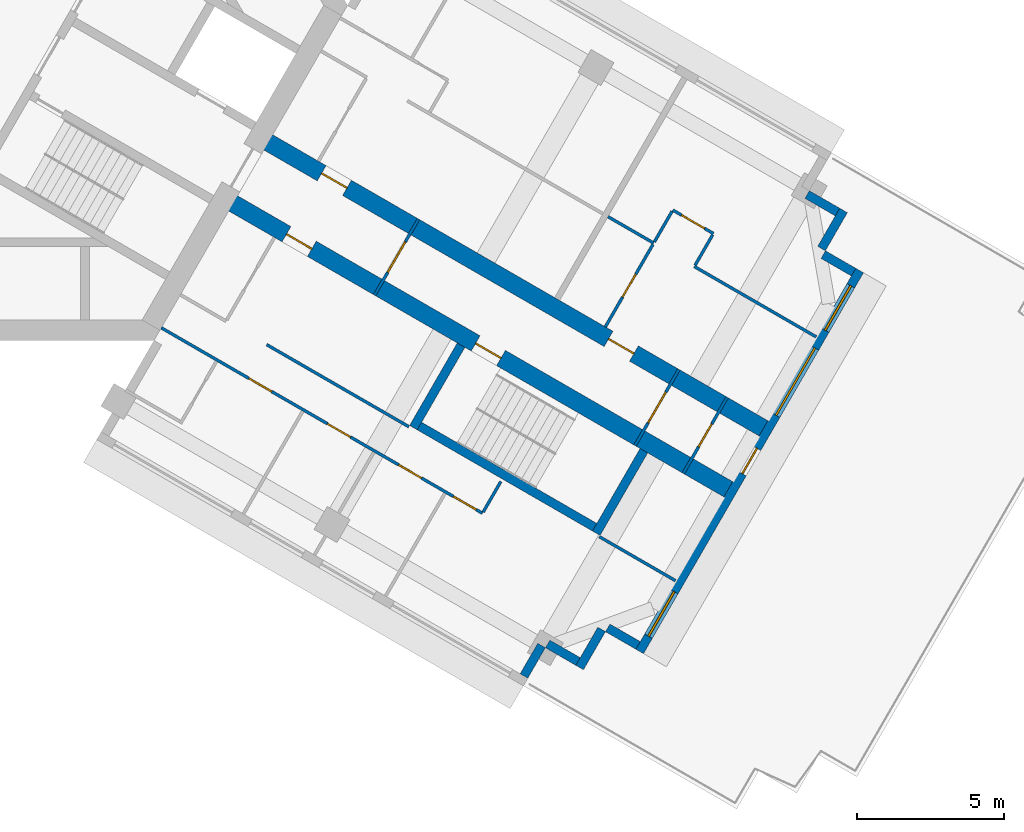
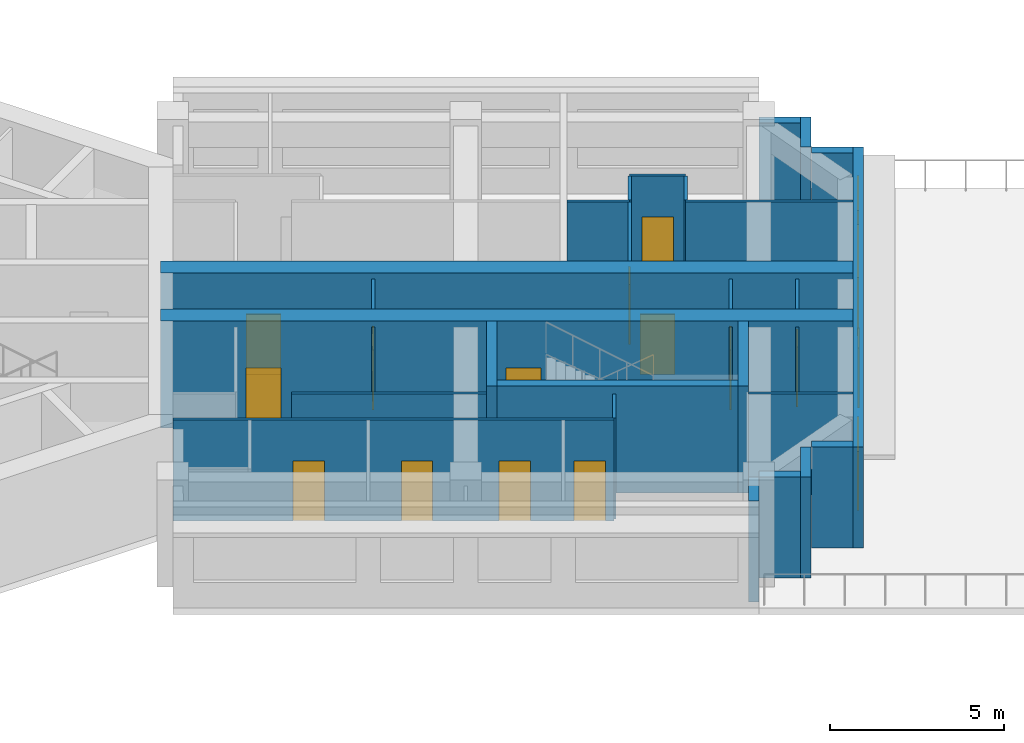
# One storey, part 5 of 11: 26 walls, 14 doors, 3 windows, 17 openings.
"""IFC4 building model written with IfcOpenShell, lengths in metres."""

from ifc_helpers import new_model, si_unit, direction, frame, frame_2d, origin, place, context, subcontext, project, spatial, rectangle, extrude, material, layer, layer_set, type_object, element, fill, save


model = new_model("IFC4")

# Units and contexts
model_context = context("Model", 3, precision=1e-05, world=origin(), true_north=direction((0.0, 1.0)))
body_context = subcontext(model_context, "Body", "Model", "MODEL_VIEW")
ifc_project = project(units=[si_unit("LENGTHUNIT", "METRE"), si_unit("AREAUNIT", "SQUARE_METRE"), si_unit("VOLUMEUNIT", "CUBIC_METRE"), si_unit("PLANEANGLEUNIT", "RADIAN"), si_unit("MASSUNIT", "GRAM", prefix="KILO")], contexts=[model_context])

# Site, building, storey
site_placement = place(None, origin())
site = spatial("IfcSite", under=ifc_project, at=site_placement, CompositionType="ELEMENT")
building_placement = place(site_placement, origin())
building = spatial("IfcBuilding", under=site, at=building_placement, Name="Impinga Residences", CompositionType="ELEMENT")
storey_placement = place(building_placement, frame((0.0, 0.0, 248.5)))
storey = spatial("IfcBuildingStorey", under=building, at=storey_placement, Name="L62", CompositionType="ELEMENT", Elevation=248.5)

# Wall, openings, doors
ifc_material_1 = material(Name="Concrete C60/75", Category="concrete")
ifc_layer_1 = layer(ifc_material_1, 0.60009765625)
ifc_layer_set_1 = layer_set([ifc_layer_1], Name="Concrete C60/75")
wall_type_1 = type_object("IfcWallType", Name="BW3 corridor buttress wall, L46 to L73 600", PredefinedType="SHEAR", material=ifc_layer_set_1)
wall_1_placement = place(storey_placement, frame((10.19677734375, -4.50146484375, 0.0), z_axis=(0.0, 0.0, 1.0), x_axis=(0.866025214745, -0.500000327426, 0.0)))
wall_1 = element("IfcWall", 1, at=wall_1_placement, inside=storey, type_object=wall_type_1, Name="Corridor wall BW3 EC L62", PredefinedType="SHEAR", context=body_context, shape_type="SweptSolid", body=[
    extrude(rectangle(XDim=19.85009765625, YDim=0.60009765625, at=frame_2d((9.925048828125, 0.0))), origin(), (0.0, 0.0, 1.0), 3.75),
])
opening_1_placement = place(wall_1_placement, frame((2.449951171875, 0.0, 0.0)))
opening_1 = element("IfcOpeningElement", 2, at=opening_1_placement, cuts=wall_1, Name="Opening D1", PredefinedType="OPENING", context=body_context, shape_type="SweptSolid", body=[
    extrude(rectangle(XDim=1.0, YDim=2.10009765625, at=frame_2d((0.5, 1.050048828125))), frame((0.0, 0.31005859375, 0.0), z_axis=(0.0, -1.0, 0.0), x_axis=(1.0, 0.0, 0.0)), (0.0, 0.0, 1.0), 0.6201171875),
])
opening_2_placement = place(wall_1_placement, frame((13.75, 0.0, 0.0)))
opening_2 = element("IfcOpeningElement", 3, at=opening_2_placement, cuts=wall_1, Name="Opening D1", PredefinedType="OPENING", context=body_context, shape_type="SweptSolid", body=[
    extrude(rectangle(XDim=1.0, YDim=2.10009765625, at=frame_2d((0.5, 1.050048828125))), frame((0.0, 0.31005859375, 0.0), z_axis=(0.0, -1.0, 0.0), x_axis=(1.0, 0.0, 0.0)), (0.0, 0.0, 1.0), 0.6201171875),
])
ifc_material_2 = material(Name="Timber door set", Category="wood")
door_type_1 = type_object("IfcDoorType", Name="D1 apartment entrance door 1000x2100", OperationType="SINGLE_SWING_LEFT", PredefinedType="DOOR", material=ifc_material_2)
door_1_placement = place(opening_1_placement, origin())
door_1 = element("IfcDoor", 4, at=door_1_placement, inside=storey, type_object=door_type_1, Name="Apartment L62-EA1 entrance", OperationType="SINGLE_SWING_LEFT", OverallHeight=2.10009765625, OverallWidth=1.0, PredefinedType="DOOR", context=body_context, shape_type="SweptSolid", body=[
    extrude(rectangle(XDim=1.0, YDim=2.10009765625, at=frame_2d((0.5, 1.050048828125))), frame((0.0, 0.02490234375, 0.0), z_axis=(0.0, -1.0, 0.0), x_axis=(1.0, 0.0, 0.0)), (0.0, 0.0, 1.0), 0.050048828125),
])
fill(opening_1, door_1)
door_2_placement = place(opening_2_placement, origin())
door_2 = element("IfcDoor", 5, at=door_2_placement, inside=storey, type_object=door_type_1, Name="Apartment L62-EA2 entrance", OperationType="SINGLE_SWING_RIGHT", OverallHeight=2.10009765625, OverallWidth=1.0, PredefinedType="DOOR", context=body_context, shape_type="SweptSolid", body=[
    extrude(rectangle(XDim=1.0, YDim=2.10009765625, at=frame_2d((0.5, 1.050048828125))), frame((0.0, 0.02490234375, 0.0), z_axis=(0.0, -1.0, 0.0), x_axis=(1.0, 0.0, 0.0)), (0.0, 0.0, 1.0), 0.050048828125),
])
fill(opening_2, door_2)

wall_2_placement = place(storey_placement, frame((8.996826171875, -6.580078125, 0.0), z_axis=(0.0, 0.0, 1.0), x_axis=(0.866030540451, -0.499991102927, 0.0)))
wall_2 = element("IfcWall", 6, at=wall_2_placement, inside=storey, type_object=wall_type_1, Name="Corridor wall BW3 ED L62", PredefinedType="SHEAR", context=body_context, shape_type="SweptSolid", body=[
    extrude(rectangle(XDim=19.849853515625, YDim=0.60009765625, at=frame_2d((9.9248046875, 0.0))), origin(), (0.0, 0.0, 1.0), 3.75),
])
opening_3_placement = place(wall_2_placement, frame((9.89990234375, 0.0, 0.0)))
opening_3 = element("IfcOpeningElement", 7, at=opening_3_placement, cuts=wall_2, Name="Opening D5", PredefinedType="OPENING", context=body_context, shape_type="SweptSolid", body=[
    extrude(rectangle(XDim=1.0, YDim=2.10009765625, at=frame_2d((0.5, 1.050048828125))), frame((0.0, 0.31005859375, 0.0), z_axis=(0.0, -1.0, 0.0), x_axis=(1.0, 0.0, 0.0)), (0.0, 0.0, 1.0), 0.6201171875),
])
opening_4_placement = place(wall_2_placement, frame((2.449951171875, 0.0, 0.0)))
opening_4 = element("IfcOpeningElement", 8, at=opening_4_placement, cuts=wall_2, Name="Opening D1", PredefinedType="OPENING", context=body_context, shape_type="SweptSolid", body=[
    extrude(rectangle(XDim=1.0, YDim=2.10009765625, at=frame_2d((0.5, 1.050048828125))), frame((0.0, 0.31005859375, 0.0), z_axis=(0.0, -1.0, 0.0), x_axis=(1.0, 0.0, 0.0)), (0.0, 0.0, 1.0), 0.6201171875),
])
door_3_placement = place(opening_4_placement, origin())
door_3 = element("IfcDoor", 9, at=door_3_placement, inside=storey, type_object=door_type_1, Name="Apartment L62-EF1 entrance", OperationType="SINGLE_SWING_LEFT", OverallHeight=2.10009765625, OverallWidth=1.0, PredefinedType="DOOR", context=body_context, shape_type="SweptSolid", body=[
    extrude(rectangle(XDim=1.0, YDim=2.10009765625, at=frame_2d((0.5, 1.050048828125))), frame((0.0, 0.02490234375, 0.0), z_axis=(0.0, -1.0, 0.0), x_axis=(1.0, 0.0, 0.0)), (0.0, 0.0, 1.0), 0.050048828125),
])
fill(opening_4, door_3)
door_type_2 = type_object("IfcDoorType", Name="D5 stair door 1000x2100", OperationType="SINGLE_SWING_LEFT", PredefinedType="DOOR", material=ifc_material_2)
door_4_placement = place(opening_3_placement, origin())
door_4 = element("IfcDoor", 10, at=door_4_placement, inside=storey, type_object=door_type_2, Name="Wing stair door E", OperationType="SINGLE_SWING_RIGHT", OverallHeight=2.10009765625, OverallWidth=1.0, PredefinedType="DOOR", context=body_context, shape_type="SweptSolid", body=[
    extrude(rectangle(XDim=1.0, YDim=2.10009765625, at=frame_2d((0.5, 1.050048828125))), frame((0.0, 0.02490234375, 0.0), z_axis=(0.0, -1.0, 0.0), x_axis=(1.0, 0.0, 0.0)), (0.0, 0.0, 1.0), 0.050048828125),
])
fill(opening_3, door_4)

# Wall, opening, door
ifc_material_3 = material(Name="Concrete blockwork", Category="masonry")
ifc_layer_2 = layer(ifc_material_3, 0.10009765625)
ifc_layer_set_2 = layer_set([ifc_layer_2], Name="CP1 core room partition, blockwork 100")
wall_type_2 = type_object("IfcWallType", Name="CP1 core room partition, blockwork 100", PredefinedType="PARTITIONING", material=ifc_layer_set_2)
wall_3_placement = place(storey_placement, frame((24.50634765625, -12.416748046875, 0.0), z_axis=(0.0, 0.0, 1.0), x_axis=(-0.499990139034, -0.866031096941, 0.0)))
wall_3 = element("IfcWall", 11, at=wall_3_placement, inside=storey, type_object=wall_type_2, Name="Core room partition, blockwork L62:E:LNG", PredefinedType="PARTITIONING", context=body_context, shape_type="SweptSolid", body=[
    extrude(rectangle(XDim=3.0, YDim=0.10009765625, at=frame_2d((1.5, 0.0))), origin(), (0.0, 0.0, 1.0), 3.530029296875),
])
opening_5_placement = place(wall_3_placement, frame((0.89990234375, 0.0, 0.0)))
opening_5 = element("IfcOpeningElement", 12, at=opening_5_placement, cuts=wall_3, Name="Opening D3", PredefinedType="OPENING", context=body_context, shape_type="SweptSolid", body=[
    extrude(rectangle(XDim=1.199951171875, YDim=2.10009765625, at=frame_2d((0.60009765625, 1.050048828125))), frame((0.0, 0.06005859375, 0.0), z_axis=(0.0, -1.0, 0.0), x_axis=(1.0, 0.0, 0.0)), (0.0, 0.0, 1.0), 0.1201171875),
])
door_type_3 = type_object("IfcDoorType", Name="D3 room door, leaf and a half 1200x2100", OperationType="DOUBLE_SWING_LEFT", PredefinedType="DOOR", material=ifc_material_2)
door_5_placement = place(opening_5_placement, origin())
door_5 = element("IfcDoor", 13, at=door_5_placement, inside=storey, type_object=door_type_3, Name="Residents' lounge door E", OperationType="DOUBLE_SWING_LEFT", OverallHeight=2.10009765625, OverallWidth=1.199951171875, PredefinedType="DOOR", context=body_context, shape_type="SweptSolid", body=[
    extrude(rectangle(XDim=1.199951171875, YDim=2.10009765625, at=frame_2d((0.60009765625, 1.050048828125))), frame((0.0, 0.02490234375, 0.0), z_axis=(0.0, -1.0, 0.0), x_axis=(1.0, 0.0, 0.0)), (0.0, 0.0, 1.0), 0.050048828125),
])
fill(opening_5, door_5)

wall_4_placement = place(storey_placement, frame((15.623046875, -7.287841796875, 0.0), z_axis=(0.0, 0.0, 1.0), x_axis=(-0.499990139034, -0.866031096941, 0.0)))
wall_4 = element("IfcWall", 14, at=wall_4_placement, inside=storey, type_object=wall_type_2, Name="Core room partition, blockwork L62:E:SCR", PredefinedType="PARTITIONING", context=body_context, shape_type="SweptSolid", body=[
    extrude(rectangle(XDim=3.0, YDim=0.10009765625, at=frame_2d((1.5, 0.0))), origin(), (0.0, 0.0, 1.0), 3.530029296875),
])
opening_6_placement = place(wall_4_placement, frame((0.89990234375, 0.0, 0.0)))
opening_6 = element("IfcOpeningElement", 15, at=opening_6_placement, cuts=wall_4, Name="Opening D3", PredefinedType="OPENING", context=body_context, shape_type="SweptSolid", body=[
    extrude(rectangle(XDim=1.199951171875, YDim=2.10009765625, at=frame_2d((0.60009765625, 1.050048828125))), frame((0.0, 0.06005859375, 0.0), z_axis=(0.0, -1.0, 0.0), x_axis=(1.0, 0.0, 0.0)), (0.0, 0.0, 1.0), 0.1201171875),
])
door_6_placement = place(opening_6_placement, origin())
door_6 = element("IfcDoor", 16, at=door_6_placement, inside=storey, type_object=door_type_3, Name="Corridor smoke door E", OperationType="DOUBLE_SWING_LEFT", OverallHeight=2.10009765625, OverallWidth=1.199951171875, PredefinedType="DOOR", context=body_context, shape_type="SweptSolid", body=[
    extrude(rectangle(XDim=1.199951171875, YDim=2.10009765625, at=frame_2d((0.60009765625, 1.050048828125))), frame((0.0, 0.02490234375, 0.0), z_axis=(0.0, -1.0, 0.0), x_axis=(1.0, 0.0, 0.0)), (0.0, 0.0, 1.0), 0.050048828125),
])
fill(opening_6, door_6)

wall_5_placement = place(storey_placement, frame((26.15185546875, -13.36669921875, 0.0), z_axis=(0.0, 0.0, 1.0), x_axis=(-0.499990139034, -0.866031096941, 0.0)))
wall_5 = element("IfcWall", 17, at=wall_5_placement, inside=storey, type_object=wall_type_2, Name="Core room partition, blockwork L62:E:RFA", PredefinedType="PARTITIONING", context=body_context, shape_type="SweptSolid", body=[
    extrude(rectangle(XDim=3.0, YDim=0.10009765625, at=frame_2d((1.5, 0.0))), origin(), (0.0, 0.0, 1.0), 3.530029296875),
])
opening_7_placement = place(wall_5_placement, frame((1.050048828125, 0.0, 0.0)))
opening_7 = element("IfcOpeningElement", 18, at=opening_7_placement, cuts=wall_5, Name="Opening D6", PredefinedType="OPENING", context=body_context, shape_type="SweptSolid", body=[
    extrude(rectangle(XDim=0.89990234375, YDim=2.10009765625, at=frame_2d((0.449951171875, 1.050048828125))), frame((0.0, 0.06005859375, 0.0), z_axis=(0.0, -1.0, 0.0), x_axis=(1.0, 0.0, 0.0)), (0.0, 0.0, 1.0), 0.1201171875),
])
door_type_4 = type_object("IfcDoorType", Name="D6 riser and store door 900x2100", OperationType="SINGLE_SWING_LEFT", PredefinedType="DOOR", material=ifc_material_2)
door_7_placement = place(opening_7_placement, origin())
door_7 = element("IfcDoor", 19, at=door_7_placement, inside=storey, type_object=door_type_4, Name="Roof access room door E", OperationType="SINGLE_SWING_LEFT", OverallHeight=2.10009765625, OverallWidth=0.89990234375, PredefinedType="DOOR", context=body_context, shape_type="SweptSolid", body=[
    extrude(rectangle(XDim=0.89990234375, YDim=2.10009765625, at=frame_2d((0.449951171875, 1.050048828125))), frame((0.0, 0.02490234375, 0.0), z_axis=(0.0, -1.0, 0.0), x_axis=(1.0, 0.0, 0.0)), (0.0, 0.0, 1.0), 0.050048828125),
])
fill(opening_7, door_7)

# Walls
ifc_material_4 = material(Name="Terracotta rainscreen on blockwork", Category="masonry")
ifc_layer_3 = layer(ifc_material_4, 0.300048828125)
ifc_layer_set_3 = layer_set([ifc_layer_3], Name="EW1 external wall, terracotta rainscreen on blockwork 300")
wall_type_3 = type_object("IfcWallType", Name="EW1 external wall, terracotta rainscreen on blockwork 300", PredefinedType="SOLIDWALL", material=ifc_layer_set_3)
wall_6_placement = place(storey_placement, frame((28.878662109375, -6.453857421875, 0.0), z_axis=(0.0, 0.0, 1.0), x_axis=(0.865971243484, -0.500093796661, 0.0)))
element("IfcWall", 20, at=wall_6_placement, inside=storey, type_object=wall_type_3, Name="External wall EW1 L62", PredefinedType="SOLIDWALL", context=body_context, shape_type="SweptSolid", body=[
    extrude(rectangle(XDim=1.195068359375, YDim=0.300048828125, at=frame_2d((0.59765625, 0.0))), origin(), (0.0, 0.0, 1.0), 3.530029296875),
])
wall_7_placement = place(storey_placement, frame((30.118408203125, -6.99658203125, 0.0), z_axis=(0.0, 0.0, 1.0), x_axis=(-0.499990139034, -0.866031096941, 0.0)))
element("IfcWall", 21, at=wall_7_placement, inside=storey, type_object=wall_type_3, Name="External wall EW1 L62", PredefinedType="SOLIDWALL", context=body_context, shape_type="SweptSolid", body=[
    extrude(rectangle(XDim=1.5, YDim=0.300048828125, at=frame_2d((0.75, 0.0))), origin(), (0.0, 0.0, 1.0), 3.530029296875),
])
wall_8_placement = place(storey_placement, frame((29.427490234375, -8.5029296875, 0.0), z_axis=(0.0, 0.0, 1.0), x_axis=(0.865971243484, -0.500093796661, 0.0)))
element("IfcWall", 22, at=wall_8_placement, inside=storey, type_object=wall_type_3, Name="External wall EW1 L62", PredefinedType="SOLIDWALL", context=body_context, shape_type="SweptSolid", body=[
    extrude(rectangle(XDim=1.195068359375, YDim=0.300048828125, at=frame_2d((0.59765625, 0.0))), origin(), (0.0, 0.0, 1.0), 3.530029296875),
])

# Wall, openings, door, windows
wall_9_placement = place(storey_placement, frame((30.66748046875, -9.045654296875, 0.0), z_axis=(0.0, 0.0, 1.0), x_axis=(-0.500004234368, -0.866022959057, 0.0)))
wall_9 = element("IfcWall", 23, at=wall_9_placement, inside=storey, type_object=wall_type_3, Name="External wall EW1 L62", PredefinedType="SOLIDWALL", context=body_context, shape_type="SweptSolid", body=[
    extrude(rectangle(XDim=14.999755859375, YDim=0.300048828125, at=frame_2d((7.5, 0.0))), origin(), (0.0, 0.0, 1.0), 3.530029296875),
])
opening_8_placement = place(wall_9_placement, frame((7.0, 0.0, 0.0)))
opening_8 = element("IfcOpeningElement", 24, at=opening_8_placement, cuts=wall_9, Name="Opening RD1", PredefinedType="OPENING", context=body_context, shape_type="SweptSolid", body=[
    extrude(rectangle(XDim=1.0, YDim=2.10009765625, at=frame_2d((0.5, 1.050048828125))), frame((0.0, 0.159912109375, 0.0), z_axis=(0.0, -1.0, 0.0), x_axis=(1.0, 0.0, 0.0)), (0.0, 0.0, 1.0), 0.320068359375),
])
opening_9_placement = place(wall_9_placement, frame((0.60009765625, 0.0, 0.89990234375)))
opening_9 = element("IfcOpeningElement", 25, at=opening_9_placement, cuts=wall_9, Name="Opening W1", PredefinedType="OPENING", context=body_context, shape_type="SweptSolid", body=[
    extrude(rectangle(XDim=1.75, YDim=2.050048828125, at=frame_2d((0.875, 1.02490234375))), frame((0.0, 0.159912109375, 0.0), z_axis=(0.0, -1.0, 0.0), x_axis=(1.0, 0.0, 0.0)), (0.0, 0.0, 1.0), 0.320068359375),
])
opening_10_placement = place(wall_9_placement, frame((3.050048828125, 0.0, 0.89990234375)))
opening_10 = element("IfcOpeningElement", 26, at=opening_10_placement, cuts=wall_9, Name="Opening W18", PredefinedType="OPENING", context=body_context, shape_type="SweptSolid", body=[
    extrude(rectangle(XDim=2.64990234375, YDim=2.050048828125, at=frame_2d((1.324951171875, 1.02490234375))), frame((0.0, 0.159912109375, 0.0), z_axis=(0.0, -1.0, 0.0), x_axis=(1.0, 0.0, 0.0)), (0.0, 0.0, 1.0), 0.320068359375),
])
opening_11_placement = place(wall_9_placement, frame((12.64990234375, 0.0, 0.89990234375)))
opening_11 = element("IfcOpeningElement", 27, at=opening_11_placement, cuts=wall_9, Name="Opening W1", PredefinedType="OPENING", context=body_context, shape_type="SweptSolid", body=[
    extrude(rectangle(XDim=1.75, YDim=2.050048828125, at=frame_2d((0.875, 1.02490234375))), frame((0.0, 0.159912109375, 0.0), z_axis=(0.0, -1.0, 0.0), x_axis=(1.0, 0.0, 0.0)), (0.0, 0.0, 1.0), 0.320068359375),
])
ifc_material_5 = material(Name="Steel door, painted", Category="steel")
door_type_5 = type_object("IfcDoorType", Name="RD1 maintenance roof access door 1000x2100", OperationType="SINGLE_SWING_LEFT", PredefinedType="DOOR", material=ifc_material_5)
door_8_placement = place(opening_8_placement, origin())
door_8 = element("IfcDoor", 28, at=door_8_placement, inside=storey, type_object=door_type_5, Name="Maintenance roof access door L62", OperationType="SINGLE_SWING_RIGHT", OverallHeight=2.10009765625, OverallWidth=1.0, PredefinedType="DOOR", context=body_context, shape_type="SweptSolid", body=[
    extrude(rectangle(XDim=1.0, YDim=2.10009765625, at=frame_2d((0.5, 1.050048828125))), frame((0.0, 0.02490234375, 0.0), z_axis=(0.0, -1.0, 0.0), x_axis=(1.0, 0.0, 0.0)), (0.0, 0.0, 1.0), 0.050048828125),
])
fill(opening_8, door_8)
ifc_material_6 = material(Name="Aluminium window, clear double glazing", Category="aluminium")
window_type_1 = type_object("IfcWindowType", Name="W1 ribbon window 1750x2050", PartitioningType="SINGLE_PANEL", PredefinedType="WINDOW", material=ifc_material_6)
window_1_placement = place(opening_9_placement, origin())
window_1 = element("IfcWindow", 29, at=window_1_placement, inside=storey, type_object=window_type_1, Name="Window L62", OverallHeight=2.050048828125, OverallWidth=1.75, PartitioningType="SINGLE_PANEL", PredefinedType="WINDOW", context=body_context, shape_type="SweptSolid", body=[
    extrude(rectangle(XDim=1.75, YDim=2.050048828125, at=frame_2d((0.875, 1.02490234375))), frame((0.0, 0.030029296875, 0.0), z_axis=(0.0, -1.0, 0.0), x_axis=(1.0, 0.0, 0.0)), (0.0, 0.0, 1.0), 0.06005859375),
])
fill(opening_9, window_1)
window_2_placement = place(opening_11_placement, origin())
window_2 = element("IfcWindow", 30, at=window_2_placement, inside=storey, type_object=window_type_1, Name="Window L62", OverallHeight=2.050048828125, OverallWidth=1.75, PartitioningType="SINGLE_PANEL", PredefinedType="WINDOW", context=body_context, shape_type="SweptSolid", body=[
    extrude(rectangle(XDim=1.75, YDim=2.050048828125, at=frame_2d((0.875, 1.02490234375))), frame((0.0, 0.030029296875, 0.0), z_axis=(0.0, -1.0, 0.0), x_axis=(1.0, 0.0, 0.0)), (0.0, 0.0, 1.0), 0.06005859375),
])
fill(opening_11, window_2)
window_type_2 = type_object("IfcWindowType", Name="W18 ribbon window 2650x2050", PartitioningType="SINGLE_PANEL", PredefinedType="WINDOW", material=ifc_material_6)
window_3_placement = place(opening_10_placement, origin())
window_3 = element("IfcWindow", 31, at=window_3_placement, inside=storey, type_object=window_type_2, Name="Window L62", OverallHeight=2.050048828125, OverallWidth=2.64990234375, PartitioningType="SINGLE_PANEL", PredefinedType="WINDOW", context=body_context, shape_type="SweptSolid", body=[
    extrude(rectangle(XDim=2.64990234375, YDim=2.050048828125, at=frame_2d((1.324951171875, 1.02490234375))), frame((0.0, 0.030029296875, 0.0), z_axis=(0.0, -1.0, 0.0), x_axis=(1.0, 0.0, 0.0)), (0.0, 0.0, 1.0), 0.06005859375),
])
fill(opening_10, window_3)

# Walls
wall_10_placement = place(storey_placement, frame((23.112548828125, -21.8310546875, 0.0), z_axis=(0.0, 0.0, 1.0), x_axis=(-0.866059708757, 0.499940577336, 0.0)))
element("IfcWall", 32, at=wall_10_placement, inside=storey, type_object=wall_type_3, Name="External wall EW1 L62", PredefinedType="SOLIDWALL", context=body_context, shape_type="SweptSolid", body=[
    extrude(rectangle(XDim=1.195068359375, YDim=0.300048828125, at=frame_2d((0.59765625, 0.0))), origin(), (0.0, 0.0, 1.0), 3.530029296875),
])
wall_11_placement = place(storey_placement, frame((21.868408203125, -21.285888671875, 0.0), z_axis=(0.0, 0.0, 1.0), x_axis=(-0.499990139034, -0.866031096941, 0.0)))
element("IfcWall", 33, at=wall_11_placement, inside=storey, type_object=wall_type_3, Name="External wall EW1 L62", PredefinedType="SOLIDWALL", context=body_context, shape_type="SweptSolid", body=[
    extrude(rectangle(XDim=1.5, YDim=0.300048828125, at=frame_2d((0.75, 0.0))), origin(), (0.0, 0.0, 1.0), 3.530029296875),
])
wall_12_placement = place(storey_placement, frame((21.0634765625, -22.380126953125, 0.0), z_axis=(0.0, 0.0, 1.0), x_axis=(-0.865971243484, 0.500093796661, 0.0)))
element("IfcWall", 34, at=wall_12_placement, inside=storey, type_object=wall_type_3, Name="External wall EW1 L62", PredefinedType="SOLIDWALL", context=body_context, shape_type="SweptSolid", body=[
    extrude(rectangle(XDim=1.195068359375, YDim=0.300048828125, at=frame_2d((0.59765625, 0.0))), origin(), (0.0, 0.0, 1.0), 3.530029296875),
])
wall_13_placement = place(storey_placement, frame((19.8193359375, -21.8349609375, 0.0), z_axis=(0.0, 0.0, 1.0), x_axis=(-0.500033551112, -0.866006032174, 0.0)))
element("IfcWall", 35, at=wall_13_placement, inside=storey, type_object=wall_type_3, Name="External wall EW1 L62", PredefinedType="SOLIDWALL", context=body_context, shape_type="SweptSolid", body=[
    extrude(rectangle(XDim=1.2001953125, YDim=0.300048828125, at=frame_2d((0.60009765625, 0.0))), origin(), (0.0, 0.0, 1.0), 3.530029296875),
])
ifc_material_7 = material(Name="Gypsum board on steel studs", Category="steel")
ifc_layer_4 = layer(ifc_material_7, 0.10009765625)
ifc_layer_set_4 = layer_set([ifc_layer_4], Name="Gypsum board on steel studs")
wall_type_4 = type_object("IfcWallType", Name="IP1 partition 100", PredefinedType="PARTITIONING", material=ifc_layer_set_4)
wall_14_placement = place(storey_placement, frame((22.086181640625, -7.208740234375, 0.0), z_axis=(0.0, 0.0, 1.0), x_axis=(0.865989075817, -0.500062916607, 0.0)))
element("IfcWall", 36, at=wall_14_placement, inside=storey, type_object=wall_type_4, Name="Partition L62-EA2:DIV0", PredefinedType="PARTITIONING", context=body_context, shape_type="SweptSolid", body=[
    extrude(rectangle(XDim=1.800048828125, YDim=0.10009765625, at=frame_2d((0.89990234375, 0.0))), origin(), (0.0, 0.0, 1.0), 3.530029296875),
])
wall_15_placement = place(storey_placement, frame((25.030517578125, -8.908935546875, 0.0), z_axis=(0.0, 0.0, 1.0), x_axis=(0.866037363387, -0.499979284789, 0.0)))
element("IfcWall", 37, at=wall_15_placement, inside=storey, type_object=wall_type_4, Name="Partition L62-EA2:DIV1", PredefinedType="PARTITIONING", context=body_context, shape_type="SweptSolid", body=[
    extrude(rectangle(XDim=4.800048828125, YDim=0.10009765625, at=frame_2d((2.39990234375, 0.0))), origin(), (0.0, 0.0, 1.0), 3.530029296875),
])

# Wall, opening, door
wall_16_placement = place(storey_placement, frame((24.294921875, -6.98291015625, 0.0), z_axis=(0.0, 0.0, 1.0), x_axis=(0.866028054938, -0.499995408039, 0.0)))
wall_16 = element("IfcWall", 38, at=wall_16_placement, inside=storey, type_object=wall_type_4, Name="Partition L62-EA2:STRIP", PredefinedType="PARTITIONING", context=body_context, shape_type="SweptSolid", body=[
    extrude(rectangle(XDim=1.60009765625, YDim=0.10009765625, at=frame_2d((0.800048828125, 0.0))), origin(), (0.0, 0.0, 1.0), 3.530029296875),
])
opening_12_placement = place(wall_16_placement, frame((0.35009765625, 0.0, 0.0)))
opening_12 = element("IfcOpeningElement", 39, at=opening_12_placement, cuts=wall_16, Name="Opening D2", PredefinedType="OPENING", context=body_context, shape_type="SweptSolid", body=[
    extrude(rectangle(XDim=0.89990234375, YDim=2.10009765625, at=frame_2d((0.449951171875, 1.050048828125))), frame((0.0, 0.06005859375, 0.0), z_axis=(0.0, -1.0, 0.0), x_axis=(1.0, 0.0, 0.0)), (0.0, 0.0, 1.0), 0.1201171875),
])
door_type_6 = type_object("IfcDoorType", Name="D2 internal door 900x2100", OperationType="SINGLE_SWING_LEFT", PredefinedType="DOOR", material=ifc_material_2)
door_9_placement = place(opening_12_placement, origin())
door_9 = element("IfcDoor", 40, at=door_9_placement, inside=storey, type_object=door_type_6, Name="Apartment L62-EA2 room door", OperationType="SINGLE_SWING_LEFT", OverallHeight=2.10009765625, OverallWidth=0.89990234375, PredefinedType="DOOR", context=body_context, shape_type="SweptSolid", body=[
    extrude(rectangle(XDim=0.89990234375, YDim=2.10009765625, at=frame_2d((0.449951171875, 1.050048828125))), frame((0.0, 0.02490234375, 0.0), z_axis=(0.0, -1.0, 0.0), x_axis=(1.0, 0.0, 0.0)), (0.0, 0.0, 1.0), 0.050048828125),
])
fill(opening_12, door_9)

# Walls
wall_17_placement = place(storey_placement, frame((23.669921875, -8.0654296875, 0.0), z_axis=(0.0, 0.0, 1.0), x_axis=(0.50012165622, 0.865955154139, 0.0)))
element("IfcWall", 41, at=wall_17_placement, inside=storey, type_object=wall_type_4, Name="Partition L62-EA2:SE0", PredefinedType="PARTITIONING", context=body_context, shape_type="SweptSolid", body=[
    extrude(rectangle(XDim=1.199951171875, YDim=0.10009765625, at=frame_2d((0.60009765625, 0.0))), origin(), (0.0, 0.0, 1.0), 3.530029296875),
])
wall_18_placement = place(storey_placement, frame((25.0556640625, -8.865478515625, 0.0), z_axis=(0.0, 0.0, 1.0), x_axis=(0.499969057507, 0.866043267704, 0.0)))
element("IfcWall", 42, at=wall_18_placement, inside=storey, type_object=wall_type_4, Name="Partition L62-EA2:SE1", PredefinedType="PARTITIONING", context=body_context, shape_type="SweptSolid", body=[
    extrude(rectangle(XDim=1.19970703125, YDim=0.10009765625, at=frame_2d((0.599853515625, 0.0))), origin(), (0.0, 0.0, 1.0), 3.530029296875),
])

# Wall, opening, door
wall_19_placement = place(storey_placement, frame((21.994873046875, -10.966796875, 0.0), z_axis=(0.0, 0.0, 1.0), x_axis=(0.499984717929, 0.866034226713, 0.0)))
wall_19 = element("IfcWall", 43, at=wall_19_placement, inside=storey, type_object=wall_type_4, Name="Partition L62-EA2:IB1", PredefinedType="PARTITIONING", context=body_context, shape_type="SweptSolid", body=[
    extrude(rectangle(XDim=3.25, YDim=0.10009765625, at=frame_2d((1.625, 0.0))), origin(), (0.0, 0.0, 1.0), 3.530029296875),
])
opening_13_placement = place(wall_19_placement, frame((1.175048828125, 0.0, 0.0)))
opening_13 = element("IfcOpeningElement", 44, at=opening_13_placement, cuts=wall_19, Name="Opening D2", PredefinedType="OPENING", context=body_context, shape_type="SweptSolid", body=[
    extrude(rectangle(XDim=0.89990234375, YDim=2.10009765625, at=frame_2d((0.449951171875, 1.050048828125))), frame((0.0, 0.06005859375, 0.0), z_axis=(0.0, -1.0, 0.0), x_axis=(1.0, 0.0, 0.0)), (0.0, 0.0, 1.0), 0.1201171875),
])
door_10_placement = place(opening_13_placement, origin())
door_10 = element("IfcDoor", 45, at=door_10_placement, inside=storey, type_object=door_type_6, Name="Apartment L62-EA2 bathroom door", OperationType="SINGLE_SWING_LEFT", OverallHeight=2.10009765625, OverallWidth=0.89990234375, PredefinedType="DOOR", context=body_context, shape_type="SweptSolid", body=[
    extrude(rectangle(XDim=0.89990234375, YDim=2.10009765625, at=frame_2d((0.449951171875, 1.050048828125))), frame((0.0, 0.02490234375, 0.0), z_axis=(0.0, -1.0, 0.0), x_axis=(1.0, 0.0, 0.0)), (0.0, 0.0, 1.0), 0.050048828125),
])
fill(opening_13, door_10)

# Walls
wall_20_placement = place(storey_placement, frame((10.444580078125, -11.57275390625, 0.0), z_axis=(0.0, 0.0, 1.0), x_axis=(0.866015695474, -0.500016814911, 0.0)))
element("IfcWall", 46, at=wall_20_placement, inside=storey, type_object=wall_type_4, Name="Partition L62-EF1:DIV1", PredefinedType="PARTITIONING", context=body_context, shape_type="SweptSolid", body=[
    extrude(rectangle(XDim=5.599853515625, YDim=0.10009765625, at=frame_2d((2.7998046875, 0.0))), origin(), (0.0, 0.0, 1.0), 3.530029296875),
])
wall_21_placement = place(storey_placement, frame((21.789306640625, -18.122802734375, 0.0), z_axis=(0.0, 0.0, 1.0), x_axis=(0.866031096941, -0.499990139034, 0.0)))
element("IfcWall", 47, at=wall_21_placement, inside=storey, type_object=wall_type_4, Name="Partition L62-EF1:DIV2", PredefinedType="PARTITIONING", context=body_context, shape_type="SweptSolid", body=[
    extrude(rectangle(XDim=3.0, YDim=0.10009765625, at=frame_2d((1.5, 0.0))), origin(), (0.0, 0.0, 1.0), 3.530029296875),
])

# Wall, openings, doors
wall_22_placement = place(storey_placement, frame((6.85009765625, -10.99853515625, 0.0), z_axis=(0.0, 0.0, 1.0), x_axis=(0.866024244478, -0.500002007972, 0.0)))
wall_22 = element("IfcWall", 48, at=wall_22_placement, inside=storey, type_object=wall_type_4, Name="Partition L62-EF1:STRIP", PredefinedType="PARTITIONING", context=body_context, shape_type="SweptSolid", body=[
    extrude(rectangle(XDim=12.64990234375, YDim=0.10009765625, at=frame_2d((6.324951171875, 0.0))), origin(), (0.0, 0.0, 1.0), 3.530029296875),
])
opening_14_placement = place(wall_22_placement, frame((3.449951171875, 0.0, 0.0)))
opening_14 = element("IfcOpeningElement", 49, at=opening_14_placement, cuts=wall_22, Name="Opening D2", PredefinedType="OPENING", context=body_context, shape_type="SweptSolid", body=[
    extrude(rectangle(XDim=0.89990234375, YDim=2.10009765625, at=frame_2d((0.449951171875, 1.050048828125))), frame((0.0, 0.06005859375, 0.0), z_axis=(0.0, -1.0, 0.0), x_axis=(1.0, 0.0, 0.0)), (0.0, 0.0, 1.0), 0.1201171875),
])
opening_15_placement = place(wall_22_placement, frame((6.550048828125, 0.0, 0.0)))
opening_15 = element("IfcOpeningElement", 50, at=opening_15_placement, cuts=wall_22, Name="Opening D2", PredefinedType="OPENING", context=body_context, shape_type="SweptSolid", body=[
    extrude(rectangle(XDim=0.89990234375, YDim=2.10009765625, at=frame_2d((0.449951171875, 1.050048828125))), frame((0.0, 0.06005859375, 0.0), z_axis=(0.0, -1.0, 0.0), x_axis=(1.0, 0.0, 0.0)), (0.0, 0.0, 1.0), 0.1201171875),
])
opening_16_placement = place(wall_22_placement, frame((9.35009765625, 0.0, 0.0)))
opening_16 = element("IfcOpeningElement", 51, at=opening_16_placement, cuts=wall_22, Name="Opening D2", PredefinedType="OPENING", context=body_context, shape_type="SweptSolid", body=[
    extrude(rectangle(XDim=0.89990234375, YDim=2.10009765625, at=frame_2d((0.449951171875, 1.050048828125))), frame((0.0, 0.06005859375, 0.0), z_axis=(0.0, -1.0, 0.0), x_axis=(1.0, 0.0, 0.0)), (0.0, 0.0, 1.0), 0.1201171875),
])
opening_17_placement = place(wall_22_placement, frame((11.5, 0.0, 0.0)))
opening_17 = element("IfcOpeningElement", 52, at=opening_17_placement, cuts=wall_22, Name="Opening D2", PredefinedType="OPENING", context=body_context, shape_type="SweptSolid", body=[
    extrude(rectangle(XDim=0.89990234375, YDim=2.10009765625, at=frame_2d((0.449951171875, 1.050048828125))), frame((0.0, 0.06005859375, 0.0), z_axis=(0.0, -1.0, 0.0), x_axis=(1.0, 0.0, 0.0)), (0.0, 0.0, 1.0), 0.1201171875),
])
door_11_placement = place(opening_14_placement, origin())
door_11 = element("IfcDoor", 53, at=door_11_placement, inside=storey, type_object=door_type_6, Name="Apartment L62-EF1 room door", OperationType="SINGLE_SWING_LEFT", OverallHeight=2.10009765625, OverallWidth=0.89990234375, PredefinedType="DOOR", context=body_context, shape_type="SweptSolid", body=[
    extrude(rectangle(XDim=0.89990234375, YDim=2.10009765625, at=frame_2d((0.449951171875, 1.050048828125))), frame((0.0, 0.02490234375, 0.0), z_axis=(0.0, -1.0, 0.0), x_axis=(1.0, 0.0, 0.0)), (0.0, 0.0, 1.0), 0.050048828125),
])
fill(opening_14, door_11)
door_12_placement = place(opening_15_placement, origin())
door_12 = element("IfcDoor", 54, at=door_12_placement, inside=storey, type_object=door_type_6, Name="Apartment L62-EF1 room door", OperationType="SINGLE_SWING_RIGHT", OverallHeight=2.10009765625, OverallWidth=0.89990234375, PredefinedType="DOOR", context=body_context, shape_type="SweptSolid", body=[
    extrude(rectangle(XDim=0.89990234375, YDim=2.10009765625, at=frame_2d((0.449951171875, 1.050048828125))), frame((0.0, 0.02490234375, 0.0), z_axis=(0.0, -1.0, 0.0), x_axis=(1.0, 0.0, 0.0)), (0.0, 0.0, 1.0), 0.050048828125),
])
fill(opening_15, door_12)
door_13_placement = place(opening_16_placement, origin())
door_13 = element("IfcDoor", 55, at=door_13_placement, inside=storey, type_object=door_type_6, Name="Apartment L62-EF1 room door", OperationType="SINGLE_SWING_RIGHT", OverallHeight=2.10009765625, OverallWidth=0.89990234375, PredefinedType="DOOR", context=body_context, shape_type="SweptSolid", body=[
    extrude(rectangle(XDim=0.89990234375, YDim=2.10009765625, at=frame_2d((0.449951171875, 1.050048828125))), frame((0.0, 0.02490234375, 0.0), z_axis=(0.0, -1.0, 0.0), x_axis=(1.0, 0.0, 0.0)), (0.0, 0.0, 1.0), 0.050048828125),
])
fill(opening_16, door_13)
door_14_placement = place(opening_17_placement, origin())
door_14 = element("IfcDoor", 56, at=door_14_placement, inside=storey, type_object=door_type_6, Name="Apartment L62-EF1 room door", OperationType="SINGLE_SWING_RIGHT", OverallHeight=2.10009765625, OverallWidth=0.89990234375, PredefinedType="DOOR", context=body_context, shape_type="SweptSolid", body=[
    extrude(rectangle(XDim=0.89990234375, YDim=2.10009765625, at=frame_2d((0.449951171875, 1.050048828125))), frame((0.0, 0.02490234375, 0.0), z_axis=(0.0, -1.0, 0.0), x_axis=(1.0, 0.0, 0.0)), (0.0, 0.0, 1.0), 0.050048828125),
])
fill(opening_17, door_14)

# Walls
wall_23_placement = place(storey_placement, frame((18.43017578125, -16.240966796875, 0.0), z_axis=(0.0, 0.0, 1.0), x_axis=(-0.499880961361, -0.866094119867, 0.0)))
element("IfcWall", 57, at=wall_23_placement, inside=storey, type_object=wall_type_4, Name="Partition L62-EF1:SE1", PredefinedType="PARTITIONING", context=body_context, shape_type="SweptSolid", body=[
    extrude(rectangle(XDim=1.199951171875, YDim=0.10009765625, at=frame_2d((0.60009765625, 0.0))), origin(), (0.0, 0.0, 1.0), 3.530029296875),
])
ifc_layer_5 = layer(ifc_material_1, 0.300048828125)
ifc_layer_set_5 = layer_set([ifc_layer_5], Name="Concrete C60/75")
wall_type_5 = type_object("IfcWallType", Name="SE1 wing stair enclosure wall 300", PredefinedType="SOLIDWALL", material=ifc_layer_set_5)
for number, where, z_axis, x_axis, name in (
    (58, (17.07421875, -11.58984375, 0.0), (0.0, 0.0, 1.0), (-0.500017246033, -0.866015446554, 0.0), "Stair enclosure wall SE1 E END0 L62"),
    (59, (23.3095703125, -15.189697265625, 0.0), (0.0, 0.0, 1.0), (-0.499984717929, -0.866034226713, 0.0), "Stair enclosure wall SE1 E END1 L62"),
):
    element("IfcWall", number, at=place(storey_placement, frame(where, z_axis=z_axis, x_axis=x_axis)), inside=storey, type_object=wall_type_5, Name=name, PredefinedType="SOLIDWALL", context=body_context, shape_type="SweptSolid", body=[
        extrude(rectangle(XDim=3.25, YDim=0.300048828125, at=frame_2d((1.625, 0.0))), origin(), (0.0, 0.0, 1.0), 3.75),
    ])
wall_24_placement = place(storey_placement, frame((15.654052734375, -14.349365234375, 0.0), z_axis=(0.0, 0.0, 1.0), x_axis=(0.866013532718, -0.500020560727, 0.0)))
element("IfcWall", 60, at=wall_24_placement, inside=storey, type_object=wall_type_5, Name="Stair enclosure wall SE1 E OUT L62", PredefinedType="SOLIDWALL", context=body_context, shape_type="SweptSolid", body=[
    extrude(rectangle(XDim=6.900146484375, YDim=0.300048828125, at=frame_2d((3.4501953125, 0.0))), origin(), (0.0, 0.0, 1.0), 3.75),
])

save(model, "model.ifc")
